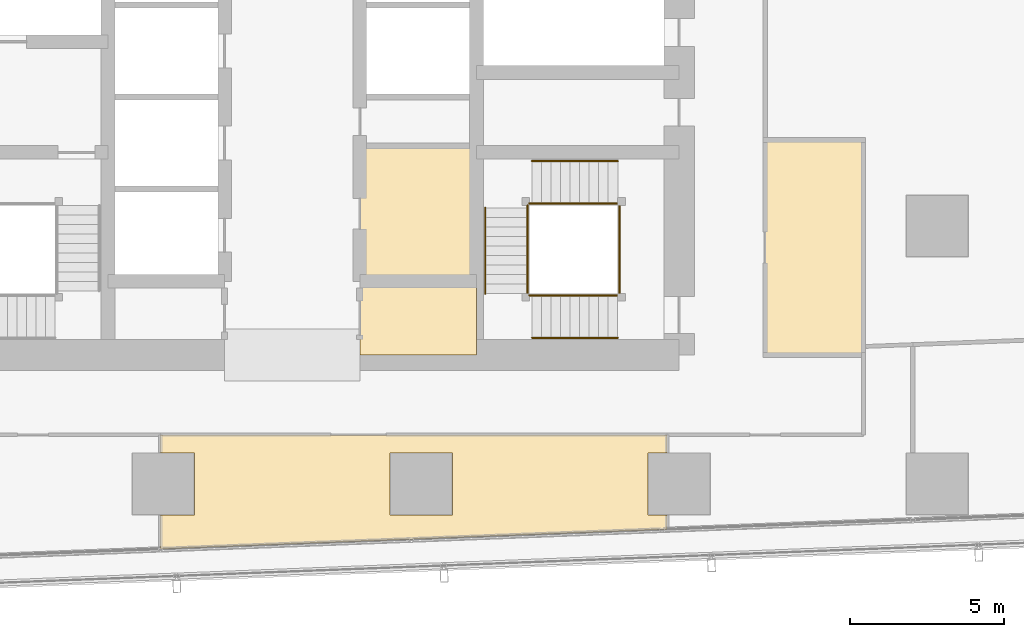
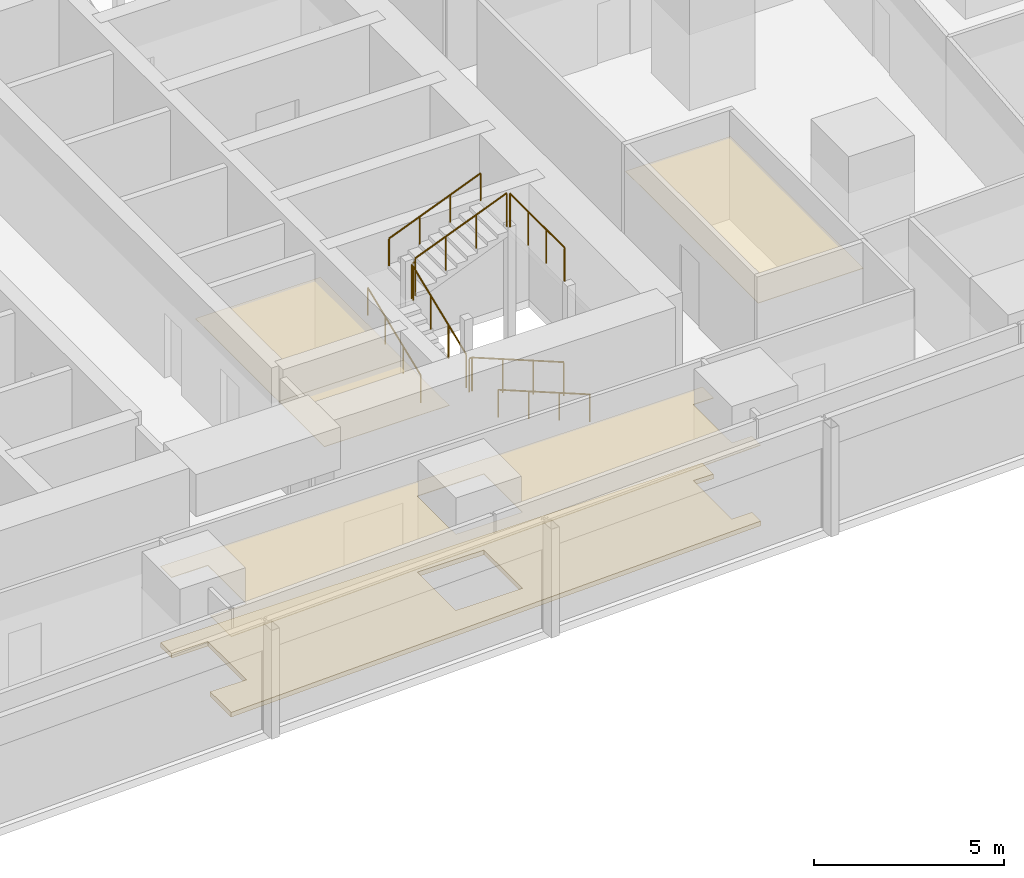
# One storey, part 33 of 36: 10 railings, 5 coverings.
"""IFC4 building model written with IfcOpenShell, lengths in metres."""

import ifcopenshell
import ifcopenshell.guid

model = None  # the IFC model being written
_history = None  # IfcOwnerHistory: only IFC2X3 demands one
_inside = {}  # id of a spatial element -> (the spatial element, [elements in it])
_under = {}  # id of a project, library or spatial element -> (it, [spatial elements below it])
_declared = {}  # id of a project -> (the project, [libraries it declares])
_typed = {}  # id of a type object -> (the type object, [elements of that type])
_made_of = {}  # id of a material, layer set ... -> (it, [elements and type objects made of it])


def new_model(schema):
    """Start an empty IFC model of exactly this schema.

    Asked for "IFC4X3", IfcOpenShell would pick the latest addendum, in which some entities
    have other attributes; the version numbers below select the first issue.
    IFC2X3 requires an IfcOwnerHistory on every rooted entity: one is made here for all.
    """
    global model, _history
    if schema == "IFC4X3":
        model = ifcopenshell.file(schema_version=(4, 3, 0, 0))
    else:
        model = ifcopenshell.file(schema=schema)
    _inside.clear()
    _under.clear()
    _declared.clear()
    _typed.clear()
    _made_of.clear()
    _history = None
    if model.schema == "IFC2X3":
        org = make("IfcOrganization", Name="unknown")
        user = make(
            "IfcPersonAndOrganization",
            ThePerson=make("IfcPerson", FamilyName="unknown"),
            TheOrganization=org,
        )
        app = make(
            "IfcApplication",
            ApplicationDeveloper=org,
            Version="unknown",
            ApplicationFullName="unknown",
            ApplicationIdentifier="unknown",
        )
        _history = make(
            "IfcOwnerHistory",
            OwningUser=user,
            OwningApplication=app,
            ChangeAction="ADDED",
            CreationDate=0,
        )
    return model


def make(cls, **values):
    """One entity of the class cls with the attributes given. An attribute that is None is left unset."""
    return model.create_entity(
        cls, **{name: value for name, value in values.items() if value is not None}
    )


def rooted(cls, **values):
    """An entity with a GlobalId (a new one), such as an element, a storey or a relation."""
    return make(cls, GlobalId=ifcopenshell.guid.new(), OwnerHistory=_history, **values)


def si_unit(unit_type, name, prefix=None):
    """IfcSIUnit, for example si_unit("LENGTHUNIT", "METRE", prefix="MILLI")."""
    return make("IfcSIUnit", UnitType=unit_type, Prefix=prefix, Name=name)


def assignment(units):
    """IfcUnitAssignment: the units of a project."""
    return None if units is None else make("IfcUnitAssignment", Units=units)


def point(xyz):
    """IfcCartesianPoint."""
    return None if xyz is None else make("IfcCartesianPoint", Coordinates=xyz)


def direction(xyz):
    """IfcDirection."""
    return None if xyz is None else make("IfcDirection", DirectionRatios=xyz)


def frame(location, z_axis=None, x_axis=None):
    """IfcAxis2Placement3D, a coordinate frame: its origin and axes. An axis left out is left unset."""
    return make(
        "IfcAxis2Placement3D",
        Location=point(location),
        Axis=direction(z_axis),
        RefDirection=direction(x_axis),
    )


def frame_2d(location, x_axis=None):
    """IfcAxis2Placement2D, a coordinate frame in the plane: its origin and x axis."""
    return make(
        "IfcAxis2Placement2D", Location=point(location), RefDirection=direction(x_axis)
    )


def origin():
    """The frame at (0, 0, 0) with its axes left unset."""
    return frame((0.0, 0.0, 0.0))


def origin_2d():
    """The frame at (0, 0) in the plane with its x axis left unset."""
    return frame_2d((0.0, 0.0))


def place(relative_to, where):
    """IfcLocalPlacement: puts the frame where relative to a parent placement (None: the world)."""
    return make(
        "IfcLocalPlacement", PlacementRelTo=relative_to, RelativePlacement=where
    )


def context(
    kind, dimensions, precision=None, world=None, true_north=None, identifier=None
):
    """IfcGeometricRepresentationContext, for example the 3D "Model" context."""
    return make(
        "IfcGeometricRepresentationContext",
        ContextIdentifier=identifier,
        ContextType=kind,
        CoordinateSpaceDimension=dimensions,
        Precision=precision,
        WorldCoordinateSystem=world,
        TrueNorth=true_north,
    )


def subcontext(parent, identifier, kind, view, scale=None):
    """IfcGeometricRepresentationSubContext, for example "Body" below "Model"."""
    return make(
        "IfcGeometricRepresentationSubContext",
        ContextIdentifier=identifier,
        ContextType=kind,
        ParentContext=parent,
        TargetScale=scale,
        TargetView=view,
    )


def project(units=None, contexts=None):
    """IfcProject with its units and contexts."""
    return rooted(
        "IfcProject",
        Name="project",
        RepresentationContexts=contexts,
        UnitsInContext=assignment(units),
    )


def spatial(cls, under=None, at=None, **own):
    """A site, building, storey or space (cls), placed at a placement, below another one or the project."""
    s = rooted(cls, ObjectPlacement=at, **own)
    if under is not None:
        _under.setdefault(under.id(), (under, []))[1].append(s)
    return s


def polyline(points):
    """IfcPolyline through the points."""
    return make("IfcPolyline", Points=[point(p) for p in points])


def profile(cls, at=None, kind="AREA", **sizes):
    """A parametric profile (cls). Its sizes go by their IFC names, for example OverallWidth=200.0."""
    return make(cls, ProfileType=kind, Position=at, **sizes)


def circle(**sizes):
    """IfcCircleProfileDef."""
    return profile("IfcCircleProfileDef", **sizes)


def outline(outer, holes=None, kind="AREA"):
    """IfcArbitraryClosedProfileDef: a profile drawn as a closed curve; with holes, ...WithVoids."""
    if holes is None:
        return make("IfcArbitraryClosedProfileDef", ProfileType=kind, OuterCurve=outer)
    return make(
        "IfcArbitraryProfileDefWithVoids",
        ProfileType=kind,
        OuterCurve=outer,
        InnerCurves=holes,
    )


def extrude(swept, where, along, depth):
    """IfcExtrudedAreaSolid: the profile swept, set in the frame where, extruded along a direction by depth."""
    return make(
        "IfcExtrudedAreaSolid",
        SweptArea=swept,
        Position=where,
        ExtrudedDirection=direction(along),
        Depth=depth,
    )


def shape(context_of_items, identifier, shape_type, items):
    """IfcShapeRepresentation: the items that make up one representation, for example the "Body"."""
    return make(
        "IfcShapeRepresentation",
        ContextOfItems=context_of_items,
        RepresentationIdentifier=identifier,
        RepresentationType=shape_type,
        Items=items,
    )


def material(Name=None, Category=None):
    """IfcMaterial."""
    return make("IfcMaterial", Name=Name, Category=Category)


def layer(
    of_material, thickness, ventilated=None, Name=None, Category=None, Priority=None
):
    """IfcMaterialLayer: one layer of a wall or slab, of a material (None: an air gap)."""
    return make(
        "IfcMaterialLayer",
        Material=of_material,
        LayerThickness=thickness,
        IsVentilated=ventilated,
        Name=Name,
        Category=Category,
        Priority=Priority,
    )


def layer_set(layers, Name=None):
    """IfcMaterialLayerSet."""
    return make("IfcMaterialLayerSet", MaterialLayers=layers, LayerSetName=Name)


def made_of(thing, what):
    """Note that an element or type object is made of a material, layer set ...; save() writes the relation."""
    if what is not None:
        _made_of.setdefault(what.id(), (what, []))[1].append(thing)
    return thing


def type_object(cls, material=None, **own):
    """A type object (cls), such as IfcWallType, which elements share."""
    return made_of(rooted(cls, **own), material)


def element(
    cls,
    number,
    at=None,
    inside=None,
    cuts=None,
    type_object=None,
    material=None,
    context=None,
    identifier="Body",
    shape_type=None,
    held_by="IfcProductDefinitionShape",
    body=None,
    shapes=None,
    **own,
):
    """One element of the class cls, such as IfcWall. Its Tag is "e" and its number.

    at: its placement. inside: the storey or other place that contains it. cuts: it is an
    opening in that element (IfcRelVoidsElement). A single representation is given by context,
    identifier, shape_type and body (its items); several are given by shapes. held_by: the class
    of the entity that holds the representations. save() writes the other relations.
    """
    e = rooted(cls, Tag="e%d" % number, ObjectPlacement=at, **own)
    if body is not None:
        shapes = [shape(context, identifier, shape_type, body)]
    if shapes is not None:
        e.Representation = make(held_by, Representations=shapes)
    if inside is not None:
        _inside.setdefault(inside.id(), (inside, []))[1].append(e)
    if cuts is not None:
        rooted(
            "IfcRelVoidsElement", RelatingBuildingElement=cuts, RelatedOpeningElement=e
        )
    if type_object is not None:
        _typed.setdefault(type_object.id(), (type_object, []))[1].append(e)
    return made_of(e, material)


def aggregate(whole, parts):
    """IfcRelAggregates: a whole, such as a stair, and the parts it consists of."""
    return rooted("IfcRelAggregates", RelatingObject=whole, RelatedObjects=parts)


def save(model, path):
    """Write the relations noted so far, then the file.

    IfcRelAggregates (storeys below a building ...), IfcRelContainedInSpatialStructure (elements
    in a storey), IfcRelDefinesByType, IfcRelAssociatesMaterial and IfcRelDeclares: one each for
    every whole, place, type object, material and project.
    """
    for whole, parts in _under.values():
        aggregate(whole, parts)
    for where, things in _inside.values():
        rooted(
            "IfcRelContainedInSpatialStructure",
            RelatedElements=things,
            RelatingStructure=where,
        )
    for kind, things in _typed.values():
        rooted("IfcRelDefinesByType", RelatedObjects=things, RelatingType=kind)
    for what, things in _made_of.values():
        rooted("IfcRelAssociatesMaterial", RelatedObjects=things, RelatingMaterial=what)
    for by, libraries in _declared.values():
        rooted("IfcRelDeclares", RelatingContext=by, RelatedDefinitions=libraries)
    model.write(path)


model = new_model("IFC4")

# Units and contexts
model_context = context("Model", 3, precision=1e-05, world=origin(), true_north=direction((0.0, 1.0)))
body_context = subcontext(model_context, "Body", "Model", "MODEL_VIEW")
ifc_project = project(units=[si_unit("LENGTHUNIT", "METRE"), si_unit("AREAUNIT", "SQUARE_METRE"), si_unit("VOLUMEUNIT", "CUBIC_METRE"), si_unit("PLANEANGLEUNIT", "RADIAN"), si_unit("MASSUNIT", "GRAM", prefix="KILO")], contexts=[model_context])

# Site, building, storey
site_placement = place(None, origin())
site = spatial("IfcSite", under=ifc_project, at=site_placement, CompositionType="ELEMENT")
building_placement = place(site_placement, origin())
building = spatial("IfcBuilding", under=site, at=building_placement, Name="Rekha Terrace Tower", CompositionType="ELEMENT")
storey_placement = place(building_placement, frame((0.0, 0.0, 144.050048828125)))
storey = spatial("IfcBuildingStorey", under=building, at=storey_placement, Name="L36", CompositionType="ELEMENT", Elevation=144.050048828125)

# Coverings
ifc_material_1 = material(Name="Mineral fibre tile in exposed grid", Category="finish")
ifc_layer_1 = layer(ifc_material_1, 0.02001953125)
ifc_layer_set_1 = layer_set([ifc_layer_1], Name="Mineral fibre tile in exposed grid")
covering_type_1 = type_object("IfcCoveringType", Name="CL1 600x1200 office grid ceiling", PredefinedType="CEILING", material=ifc_layer_set_1)
covering_1_placement = place(storey_placement, frame((0.0, 0.0, 2.579833984375)))
element("IfcCovering", 1, at=covering_1_placement, inside=storey, type_object=covering_type_1, Name="Ceiling L36-16", PredefinedType="CEILING", context=body_context, shape_type="SweptSolid", body=[
    extrude(outline(polyline([(33.512939453125, 14.679931640625), (41.678955078125, 14.998046875), (49.998046875, 15.321044921875), (49.998046875, 15.784912109375), (49.385009765625, 15.784912109375), (49.385009765625, 17.81494140625), (49.998046875, 17.81494140625), (49.998046875, 18.39990234375), (33.512939453125, 18.39990234375), (33.512939453125, 17.81494140625), (34.614990234375, 17.81494140625), (34.614990234375, 15.784912109375), (33.512939453125, 15.784912109375), (33.512939453125, 14.679931640625)]), holes=[polyline([(43.014892578125, 17.81494140625), (43.014892578125, 15.784912109375), (40.985107421875, 15.784912109375), (40.985107421875, 17.81494140625), (43.014892578125, 17.81494140625)])]), origin(), (0.0, 0.0, 1.0), 0.02001953125),
])
ifc_material_2 = material(Name="Fibre cement board", Category="finish")
ifc_layer_2 = layer(ifc_material_2, 0.014892578125)
ifc_layer_set_2 = layer_set([ifc_layer_2], Name="Fibre cement board")
covering_type_2 = type_object("IfcCoveringType", Name="CL2 moisture-resistant board ceiling", PredefinedType="CEILING", material=ifc_layer_set_2)
covering_2_placement = place(storey_placement, frame((0.0, 0.0, 2.5849609375)))
element("IfcCovering", 2, at=covering_2_placement, inside=storey, type_object=covering_type_2, Name="Ceiling L36-WCA", PredefinedType="CEILING", context=body_context, shape_type="SweptSolid", body=[
    extrude(outline(polyline([(43.800048828125, 23.39990234375), (40.0, 23.39990234375), (40.0, 21.0), (43.800048828125, 21.0), (43.800048828125, 23.39990234375)])), origin(), (0.0, 0.0, 1.0), 0.014892578125),
])
covering_3_placement = place(storey_placement, frame((0.0, 0.0, 2.5849609375)))
element("IfcCovering", 3, at=covering_3_placement, inside=storey, type_object=covering_type_2, Name="Ceiling L36-FSE1", PredefinedType="CEILING", context=body_context, shape_type="SweptSolid", body=[
    extrude(outline(polyline([(43.800048828125, 27.800048828125), (40.0, 27.800048828125), (40.0, 23.39990234375), (43.800048828125, 23.39990234375), (43.800048828125, 27.800048828125)])), origin(), (0.0, 0.0, 1.0), 0.014892578125),
])
covering_4_placement = place(storey_placement, frame((0.0, 0.0, 2.5849609375)))
element("IfcCovering", 4, at=covering_4_placement, inside=storey, type_object=covering_type_2, Name="Ceiling L36-WCM2", PredefinedType="CEILING", context=body_context, shape_type="SweptSolid", body=[
    extrude(outline(polyline([(56.39990234375, 28.0), (53.199951171875, 28.0), (53.199951171875, 21.0), (56.39990234375, 21.0), (56.39990234375, 28.0)])), origin(), (0.0, 0.0, 1.0), 0.014892578125),
])

# Railings
ifc_material_3 = material(Name="Stainless steel balustrade", Category="steel")
railing_type_1 = type_object("IfcRailingType", Name="GR1 1100 stair guard", PredefinedType="GUARDRAIL", material=ifc_material_3)
railing_1_placement = place(storey_placement, frame((48.39990234375, 22.93994140625, 0.125)))
element("IfcRailing", 5, at=railing_1_placement, inside=storey, type_object=railing_type_1, Name="Guard ST3 L36 flight 1", PredefinedType="GUARDRAIL", context=body_context, shape_type="SweptSolid", body=[
    extrude(circle(Radius=0.02392578125, at=origin_2d()), frame((0.0, 0.0, 1.076171875), z_axis=(-0.927431937212, 0.0, 0.373991980981), x_axis=(0.0, -1.0, 0.0)), (0.0, 0.0, 1.0), 3.008056640625),
    extrude(circle(Radius=0.02099609375, at=origin_2d()), origin(), (0.0, 0.0, 1.0), 1.052001953125),
    extrude(circle(Radius=0.02099609375, at=origin_2d()), frame((-0.929931640625, 0.0, 0.375)), (0.0, 0.0, 1.0), 1.052001953125),
    extrude(circle(Radius=0.02099609375, at=origin_2d()), frame((-1.85986328125, 0.0, 0.75)), (0.0, 0.0, 1.0), 1.052001953125),
    extrude(circle(Radius=0.02099609375, at=origin_2d()), frame((-2.789794921875, 0.0, 1.125)), (0.0, 0.0, 1.0), 1.052001953125),
])
railing_2_placement = place(storey_placement, frame((45.465087890625, 23.0, 1.375)))
element("IfcRailing", 6, at=railing_2_placement, inside=storey, type_object=railing_type_1, Name="Guard ST3 L36 flight 2", PredefinedType="GUARDRAIL", context=body_context, shape_type="SweptSolid", body=[
    extrude(circle(Radius=0.02392578125, at=origin_2d()), frame((0.0, 0.0, 1.076171875), z_axis=(0.0, 0.927443287984, 0.373963831907), x_axis=(-1.0, 0.0, 0.0)), (0.0, 0.0, 1.0), 3.00830078125),
    extrude(circle(Radius=0.02099609375, at=origin_2d()), origin(), (0.0, 0.0, 1.0), 1.052001953125),
    extrude(circle(Radius=0.02099609375, at=origin_2d()), frame((0.0, 0.929931640625, 0.375)), (0.0, 0.0, 1.0), 1.052001953125),
    extrude(circle(Radius=0.02099609375, at=origin_2d()), frame((0.0, 1.860107421875, 0.75)), (0.0, 0.0, 1.0), 1.052001953125),
    extrude(circle(Radius=0.02099609375, at=origin_2d()), frame((0.0, 2.7900390625, 1.125)), (0.0, 0.0, 1.0), 1.052001953125),
])
railing_3_placement = place(storey_placement, frame((45.610107421875, 25.93505859375, 2.625)))
element("IfcRailing", 7, at=railing_3_placement, inside=storey, type_object=railing_type_1, Name="Guard ST3 L36 flight 3", PredefinedType="GUARDRAIL", context=body_context, shape_type="SweptSolid", body=[
    extrude(circle(Radius=0.02392578125, at=origin_2d()), frame((0.0, 0.0, 1.076171875), z_axis=(0.927431937212, 0.0, 0.373991980981), x_axis=(0.0, 1.0, 0.0)), (0.0, 0.0, 1.0), 3.008056640625),
    extrude(circle(Radius=0.02099609375, at=origin_2d()), origin(), (0.0, 0.0, 1.0), 1.052001953125),
    extrude(circle(Radius=0.02099609375, at=origin_2d()), frame((0.929931640625, 0.0, 0.375)), (0.0, 0.0, 1.0), 1.052001953125),
    extrude(circle(Radius=0.02099609375, at=origin_2d()), frame((1.85986328125, 0.0, 0.75)), (0.0, 0.0, 1.0), 1.052001953125),
    extrude(circle(Radius=0.02099609375, at=origin_2d()), frame((2.789794921875, 0.0, 1.125)), (0.0, 0.0, 1.0), 1.052001953125),
])
railing_4_placement = place(storey_placement, frame((45.610107421875, 22.93994140625, 1.25)))
element("IfcRailing", 8, at=railing_4_placement, inside=storey, type_object=railing_type_1, Name="Guard ST3 L36 landing 1", PredefinedType="GUARDRAIL", context=body_context, shape_type="SweptSolid", body=[
    extrude(circle(Radius=0.02392578125, at=origin_2d()), frame((0.0, 0.0, 1.076171875), z_axis=(-1.0, 0.0, 0.0), x_axis=(0.0, -1.0, 0.0)), (0.0, 0.0, 1.0), 0.085205078125),
    extrude(circle(Radius=0.02099609375, at=origin_2d()), origin(), (0.0, 0.0, 1.0), 1.052001953125),
    extrude(circle(Radius=0.02099609375, at=origin_2d()), frame((-0.085205078125, 0.0, 0.0)), (0.0, 0.0, 1.0), 1.052001953125),
])
railing_5_placement = place(storey_placement, frame((45.465087890625, 25.7900390625, 2.5)))
element("IfcRailing", 9, at=railing_5_placement, inside=storey, type_object=railing_type_1, Name="Guard ST3 L36 landing 2", PredefinedType="GUARDRAIL", context=body_context, shape_type="SweptSolid", body=[
    extrude(circle(Radius=0.02392578125, at=origin_2d()), frame((0.0, 0.0, 1.076171875), z_axis=(0.0, 1.0, 0.0), x_axis=(-1.0, 0.0, 0.0)), (0.0, 0.0, 1.0), 0.0849609375),
    extrude(circle(Radius=0.02099609375, at=origin_2d()), origin(), (0.0, 0.0, 1.0), 1.052001953125),
    extrude(circle(Radius=0.02099609375, at=origin_2d()), frame((0.0, 0.0849609375, 0.0)), (0.0, 0.0, 1.0), 1.052001953125),
])
railing_6_placement = place(storey_placement, frame((45.610107421875, 25.93505859375, 2.5)))
element("IfcRailing", 10, at=railing_6_placement, inside=storey, type_object=railing_type_1, Name="Guard ST3 L36 landing 3", PredefinedType="GUARDRAIL", context=body_context, shape_type="SweptSolid", body=[
    extrude(circle(Radius=0.02392578125, at=origin_2d()), frame((0.0, 0.0, 1.076171875), z_axis=(-1.0, 0.0, 0.0), x_axis=(0.0, -1.0, 0.0)), (0.0, 0.0, 1.0), 0.085205078125),
    extrude(circle(Radius=0.02099609375, at=origin_2d()), origin(), (0.0, 0.0, 1.0), 1.052001953125),
    extrude(circle(Radius=0.02099609375, at=origin_2d()), frame((-0.085205078125, 0.0, 0.0)), (0.0, 0.0, 1.0), 1.052001953125),
])
railing_7_placement = place(storey_placement, frame((48.4599609375, 23.0, 3.75)))
element("IfcRailing", 11, at=railing_7_placement, inside=storey, type_object=railing_type_1, Name="Guard ST3 L36 landing 4", PredefinedType="GUARDRAIL", context=body_context, shape_type="SweptSolid", body=[
    extrude(circle(Radius=0.02392578125, at=origin_2d()), frame((0.0, 0.0, 1.076171875), z_axis=(0.0, 1.0, 0.0), x_axis=(-1.0, 0.0, 0.0)), (0.0, 0.0, 1.0), 2.875),
    extrude(circle(Radius=0.02099609375, at=origin_2d()), origin(), (0.0, 0.0, 1.0), 1.052001953125),
    extrude(circle(Radius=0.02099609375, at=origin_2d()), frame((0.0, 0.958251953125, 0.0)), (0.0, 0.0, 1.0), 1.052001953125),
    extrude(circle(Radius=0.02099609375, at=origin_2d()), frame((0.0, 1.916748046875, 0.0)), (0.0, 0.0, 1.0), 1.052001953125),
    extrude(circle(Radius=0.02099609375, at=origin_2d()), frame((0.0, 2.875, 0.0)), (0.0, 0.0, 1.0), 1.052001953125),
])
ifc_material_4 = material(Name="Stainless steel tube", Category="steel")
railing_type_2 = type_object("IfcRailingType", Name="HR1 900 stair handrail", PredefinedType="HANDRAIL", material=ifc_material_4)
railing_8_placement = place(storey_placement, frame((48.39990234375, 21.56005859375, 0.125)))
element("IfcRailing", 12, at=railing_8_placement, inside=storey, type_object=railing_type_2, Name="Handrail ST3 L36 flight 1", PredefinedType="HANDRAIL", context=body_context, shape_type="SweptSolid", body=[
    extrude(circle(Radius=0.02392578125, at=origin_2d()), frame((0.0, 0.0, 0.8759765625), z_axis=(-0.927431937212, 0.0, 0.373991980981), x_axis=(0.0, -1.0, 0.0)), (0.0, 0.0, 1.0), 3.008056640625),
    extrude(circle(Radius=0.02099609375, at=origin_2d()), origin(), (0.0, 0.0, 1.0), 0.851806640625),
    extrude(circle(Radius=0.02099609375, at=origin_2d()), frame((-0.929931640625, 0.0, 0.375)), (0.0, 0.0, 1.0), 0.851806640625),
    extrude(circle(Radius=0.02099609375, at=origin_2d()), frame((-1.85986328125, 0.0, 0.75)), (0.0, 0.0, 1.0), 0.851806640625),
    extrude(circle(Radius=0.02099609375, at=origin_2d()), frame((-2.789794921875, 0.0, 1.125)), (0.0, 0.0, 1.0), 0.851806640625),
])
railing_9_placement = place(storey_placement, frame((44.0849609375, 23.0, 1.375)))
element("IfcRailing", 13, at=railing_9_placement, inside=storey, type_object=railing_type_2, Name="Handrail ST3 L36 flight 2", PredefinedType="HANDRAIL", context=body_context, shape_type="SweptSolid", body=[
    extrude(circle(Radius=0.02392578125, at=origin_2d()), frame((0.0, 0.0, 0.8759765625), z_axis=(0.0, 0.927443287984, 0.373963831907), x_axis=(-1.0, 0.0, 0.0)), (0.0, 0.0, 1.0), 3.00830078125),
    extrude(circle(Radius=0.02099609375, at=origin_2d()), origin(), (0.0, 0.0, 1.0), 0.851806640625),
    extrude(circle(Radius=0.02099609375, at=origin_2d()), frame((0.0, 0.929931640625, 0.375)), (0.0, 0.0, 1.0), 0.851806640625),
    extrude(circle(Radius=0.02099609375, at=origin_2d()), frame((0.0, 1.860107421875, 0.75)), (0.0, 0.0, 1.0), 0.851806640625),
    extrude(circle(Radius=0.02099609375, at=origin_2d()), frame((0.0, 2.7900390625, 1.125)), (0.0, 0.0, 1.0), 0.851806640625),
])
railing_10_placement = place(storey_placement, frame((45.610107421875, 27.31494140625, 2.625)))
element("IfcRailing", 14, at=railing_10_placement, inside=storey, type_object=railing_type_2, Name="Handrail ST3 L36 flight 3", PredefinedType="HANDRAIL", context=body_context, shape_type="SweptSolid", body=[
    extrude(circle(Radius=0.02392578125, at=origin_2d()), frame((0.0, 0.0, 0.8759765625), z_axis=(0.927431937212, 0.0, 0.373991980981), x_axis=(0.0, 1.0, 0.0)), (0.0, 0.0, 1.0), 3.008056640625),
    extrude(circle(Radius=0.02099609375, at=origin_2d()), origin(), (0.0, 0.0, 1.0), 0.851806640625),
    extrude(circle(Radius=0.02099609375, at=origin_2d()), frame((0.929931640625, 0.0, 0.375)), (0.0, 0.0, 1.0), 0.851806640625),
    extrude(circle(Radius=0.02099609375, at=origin_2d()), frame((1.85986328125, 0.0, 0.75)), (0.0, 0.0, 1.0), 0.851806640625),
    extrude(circle(Radius=0.02099609375, at=origin_2d()), frame((2.789794921875, 0.0, 1.125)), (0.0, 0.0, 1.0), 0.851806640625),
])

# Covering
ifc_material_5 = material(Name="Calcium sulphate panels on steel pedestals", Category="steel")
ifc_layer_3 = layer(ifc_material_5, 0.14990234375)
ifc_layer_set_3 = layer_set([ifc_layer_3], Name="Calcium sulphate panels on steel pedestals")
covering_type_3 = type_object("IfcCoveringType", Name="RF1 150 raised access floor", PredefinedType="FLOORING", material=ifc_layer_set_3)
covering_5_placement = place(storey_placement, origin())
element("IfcCovering", 15, at=covering_5_placement, inside=storey, type_object=covering_type_3, Name="Raised floor L36-16", PredefinedType="FLOORING", context=body_context, shape_type="SweptSolid", body=[
    extrude(outline(polyline([(33.512939453125, 14.679931640625), (41.678955078125, 14.998046875), (49.998046875, 15.321044921875), (49.998046875, 15.784912109375), (49.385009765625, 15.784912109375), (49.385009765625, 17.81494140625), (49.998046875, 17.81494140625), (49.998046875, 18.39990234375), (33.512939453125, 18.39990234375), (33.512939453125, 17.81494140625), (34.614990234375, 17.81494140625), (34.614990234375, 15.784912109375), (33.512939453125, 15.784912109375), (33.512939453125, 14.679931640625)]), holes=[polyline([(43.014892578125, 17.81494140625), (43.014892578125, 15.784912109375), (40.985107421875, 15.784912109375), (40.985107421875, 17.81494140625), (43.014892578125, 17.81494140625)])]), origin(), (0.0, 0.0, 1.0), 0.14990234375),
])

save(model, "model.ifc")
